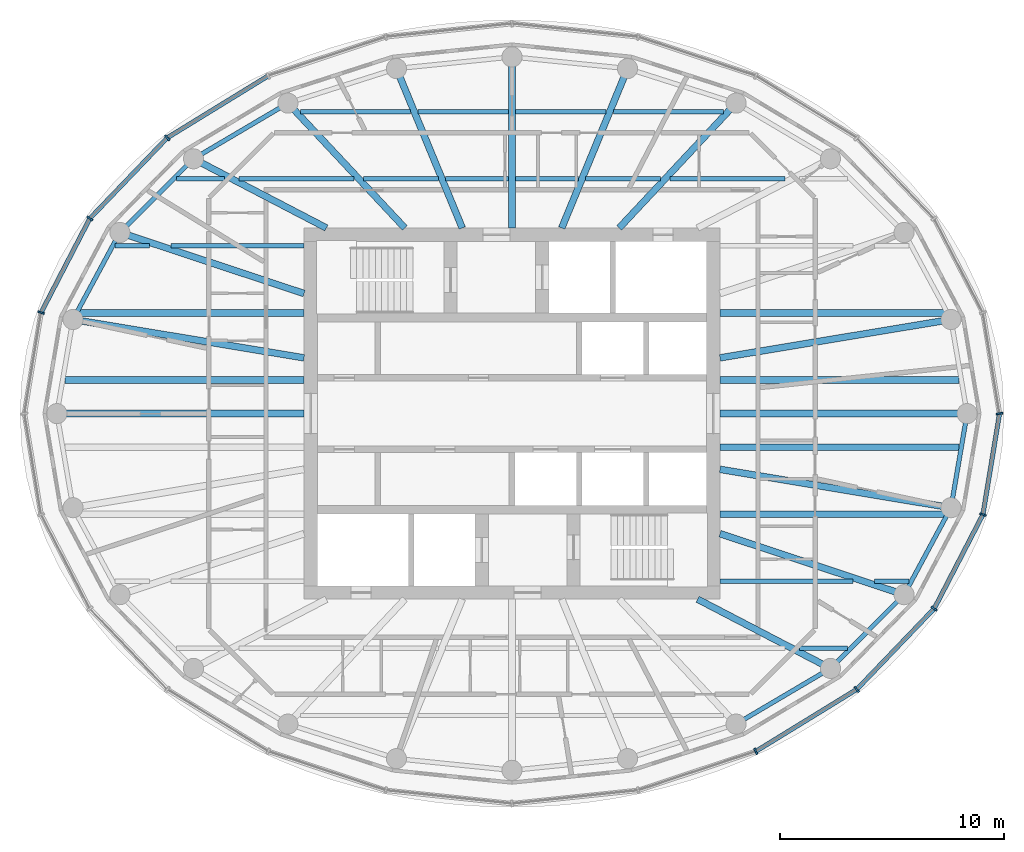
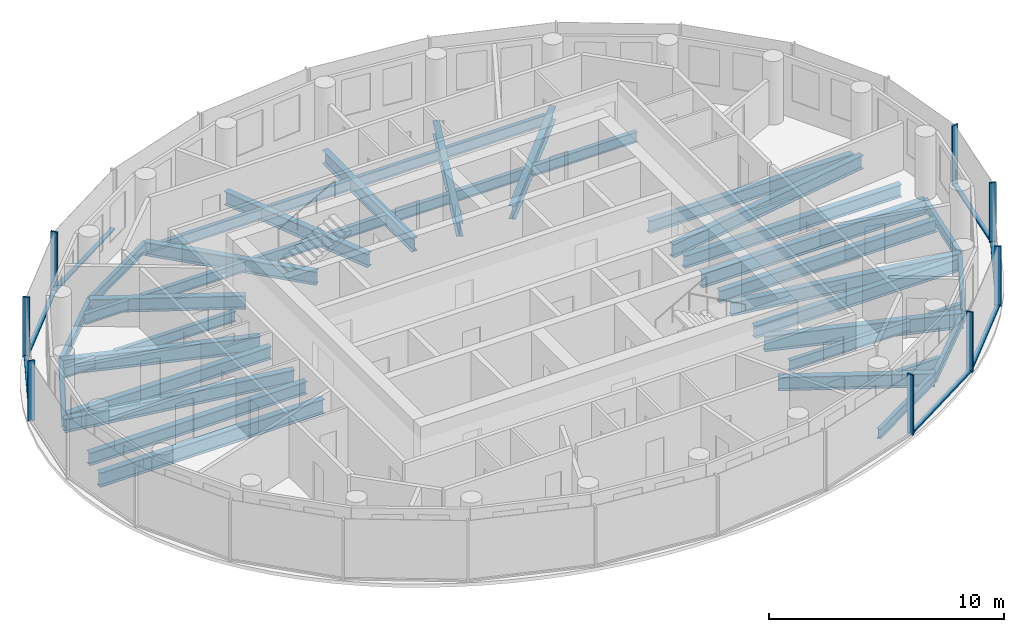
# One storey, part 2 of 11: 43 beams, 15 members, 3 elements without a shape of their own.
"""IFC4 building model written with IfcOpenShell, lengths in metres."""

from ifc_helpers import new_model, si_unit, direction, frame, origin, origin_2d, place, context, subcontext, project, spatial, rectangle, i_section, extrude, material, material_profile, profile_set, type_object, element, aggregate, save


model = new_model("IFC4")

# Units and contexts
model_context = context("Model", 3, precision=1e-05, world=origin(), true_north=direction((0.0, 1.0)))
body_context = subcontext(model_context, "Body", "Model", "MODEL_VIEW")
ifc_project = project(units=[si_unit("LENGTHUNIT", "METRE"), si_unit("AREAUNIT", "SQUARE_METRE"), si_unit("VOLUMEUNIT", "CUBIC_METRE"), si_unit("PLANEANGLEUNIT", "RADIAN"), si_unit("MASSUNIT", "GRAM", prefix="KILO")], contexts=[model_context])

# Site, building, storey
site_placement = place(None, origin())
site = spatial("IfcSite", under=ifc_project, at=site_placement, CompositionType="ELEMENT")
building_placement = place(site_placement, origin())
building = spatial("IfcBuilding", under=site, at=building_placement, Name="Hankou Lantern Tower", CompositionType="ELEMENT")
storey_placement = place(building_placement, frame((0.0, 0.0, 209.39990234375)))
storey = spatial("IfcBuildingStorey", under=building, at=storey_placement, Name="L56", CompositionType="ELEMENT", Elevation=209.39990234375)

# Beams
ifc_material_1 = material(Name="Steel Q355B", Category="steel")
ifc_material_profile_1 = material_profile(ifc_material_1, i_section(OverallWidth=0.199951171875, OverallDepth=0.5, WebThickness=0.010009765625, FlangeThickness=0.01611328125, FilletRadius=0.012939453125, at=origin_2d()), Name="HN500x200x10x16")
ifc_profile_set_1 = profile_set([ifc_material_profile_1], Name="Steel Q355B")
beam_type_1 = type_object("IfcBeamType", Name="EB5 RING BEAM HN500x200x10x16", PredefinedType="SPANDREL", material=ifc_profile_set_1)
beam_1_placement = place(storey_placement, frame((-10.01904296875, 13.8828125, -0.429931640625), z_axis=(-0.861422897323, -0.507888365655, 0.0), x_axis=(0.507888365655, -0.861422897323, 0.0)))
element("IfcBeam", 1, at=beam_1_placement, inside=storey, type_object=beam_type_1, Name="Ring beam R09-R10 L56", PredefinedType="SPANDREL", context=body_context, shape_type="SweptSolid", body=[
    extrude(i_section(OverallWidth=0.199951171875, OverallDepth=0.5, WebThickness=0.010009765625, FlangeThickness=0.01611328125, FilletRadius=0.012939453125, at=origin_2d()), origin(), (0.0, 0.0, 1.0), 4.901611328125),
])
beam_2_placement = place(storey_placement, frame((-14.241455078125, 11.393310546875, -0.429931640625), z_axis=(-0.706608588034, -0.707604623583, 0.0), x_axis=(0.707604623583, -0.706608588034, 0.0)))
element("IfcBeam", 2, at=beam_2_placement, inside=storey, type_object=beam_type_1, Name="Ring beam R10-R11 L56", PredefinedType="SPANDREL", context=body_context, shape_type="SweptSolid", body=[
    extrude(i_section(OverallWidth=0.199951171875, OverallDepth=0.5, WebThickness=0.010009765625, FlangeThickness=0.01611328125, FilletRadius=0.012939453125, at=origin_2d()), origin(), (0.0, 0.0, 1.0), 4.6572265625),
])
beam_3_placement = place(storey_placement, frame((-17.5322265625, 8.097900390625, -0.429931640625), z_axis=(-0.474491806611, -0.880259919262, 0.0), x_axis=(0.880259919262, -0.474491806611, 0.0)))
element("IfcBeam", 3, at=beam_3_placement, inside=storey, type_object=beam_type_1, Name="Ring beam R11-R12 L56", PredefinedType="SPANDREL", context=body_context, shape_type="SweptSolid", body=[
    extrude(i_section(OverallWidth=0.199951171875, OverallDepth=0.5, WebThickness=0.010009765625, FlangeThickness=0.01611328125, FilletRadius=0.012939453125, at=origin_2d()), origin(), (0.0, 0.0, 1.0), 4.419189453125),
])
beam_4_placement = place(storey_placement, frame((10.01904296875, -13.8828125, -0.429931640625), z_axis=(0.861422897323, 0.507888365655, 0.0), x_axis=(-0.507888365655, 0.861422897323, 0.0)))
element("IfcBeam", 4, at=beam_4_placement, inside=storey, type_object=beam_type_1, Name="Ring beam R21-R22 L56", PredefinedType="SPANDREL", context=body_context, shape_type="SweptSolid", body=[
    extrude(i_section(OverallWidth=0.199951171875, OverallDepth=0.5, WebThickness=0.010009765625, FlangeThickness=0.01611328125, FilletRadius=0.012939453125, at=origin_2d()), origin(), (0.0, 0.0, 1.0), 4.901611328125),
])
beam_5_placement = place(storey_placement, frame((14.241455078125, -11.393310546875, -0.429931640625), z_axis=(0.706608588034, 0.707604623583, 0.0), x_axis=(-0.707604623583, 0.706608588034, 0.0)))
element("IfcBeam", 5, at=beam_5_placement, inside=storey, type_object=beam_type_1, Name="Ring beam R22-R23 L56", PredefinedType="SPANDREL", context=body_context, shape_type="SweptSolid", body=[
    extrude(i_section(OverallWidth=0.199951171875, OverallDepth=0.5, WebThickness=0.010009765625, FlangeThickness=0.01611328125, FilletRadius=0.012939453125, at=origin_2d()), origin(), (0.0, 0.0, 1.0), 4.6572265625),
])
beam_6_placement = place(storey_placement, frame((17.5322265625, -8.097900390625, -0.429931640625), z_axis=(0.474491806611, 0.880259919262, 0.0), x_axis=(-0.880259919262, 0.474491806611, 0.0)))
element("IfcBeam", 6, at=beam_6_placement, inside=storey, type_object=beam_type_1, Name="Ring beam R23-R24 L56", PredefinedType="SPANDREL", context=body_context, shape_type="SweptSolid", body=[
    extrude(i_section(OverallWidth=0.199951171875, OverallDepth=0.5, WebThickness=0.010009765625, FlangeThickness=0.01611328125, FilletRadius=0.012939453125, at=origin_2d()), origin(), (0.0, 0.0, 1.0), 4.419189453125),
])
beam_7_placement = place(storey_placement, frame((19.629150390625, -4.207763671875, -0.429931640625), z_axis=(0.168876512999, 0.98563721691, 0.0), x_axis=(-0.98563721691, 0.168876512999, 0.0)))
element("IfcBeam", 7, at=beam_7_placement, inside=storey, type_object=beam_type_1, Name="Ring beam R24-R01 L56", PredefinedType="SPANDREL", context=body_context, shape_type="SweptSolid", body=[
    extrude(i_section(OverallWidth=0.199951171875, OverallDepth=0.5, WebThickness=0.010009765625, FlangeThickness=0.01611328125, FilletRadius=0.012939453125, at=origin_2d()), origin(), (0.0, 0.0, 1.0), 4.26904296875),
])

# Curtain wall, member
ifc_material_2 = material(Name="Glass, dark grey tinted laminated", Category="glass")
curtain_wall_type = type_object("IfcCurtainWallType", Name="CWD OUTER SKIN SUITE", PredefinedType="USERDEFINED", material=ifc_material_2)
curtain_wall_1_placement = place(storey_placement, origin())
curtain_wall_1 = element("IfcCurtainWall", 8, at=curtain_wall_1_placement, inside=storey, type_object=curtain_wall_type, Name="CWD L56 OS1", ObjectType="OUTER SKIN SUITE", PredefinedType="USERDEFINED")
ifc_material_3 = material(Name="Aluminium, black anodised", Category="aluminium")
ifc_material_profile_2 = material_profile(ifc_material_3, rectangle(XDim=0.080078125, YDim=0.300048828125, at=origin_2d()), Name="MU1 80X300")
ifc_profile_set_2 = profile_set([ifc_material_profile_2], Name="Aluminium, black anodised")
member_type_1 = type_object("IfcMemberType", Name="MU1 OUTER SKIN MULLION 80X300", PredefinedType="MULLION", material=ifc_profile_set_2)
member_1_placement = place(storey_placement, frame((21.800048828125, 0.0, 0.0), z_axis=(0.0, 0.0, 1.0), x_axis=(-0.162381515188, 0.986728049427, 0.0)))
member_1 = element("IfcMember", 9, at=member_1_placement, type_object=member_type_1, Name="CWD mullion 1", PredefinedType="MULLION", context=body_context, shape_type="SweptSolid", body=[
    extrude(rectangle(XDim=0.080078125, YDim=0.300048828125, at=origin_2d()), origin(), (0.0, 0.0, 1.0), 3.1201171875),
])
aggregate(curtain_wall_1, [member_1])

# Curtain wall, members
curtain_wall_2_placement = place(storey_placement, origin())
curtain_wall_2 = element("IfcCurtainWall", 10, at=curtain_wall_2_placement, inside=storey, type_object=curtain_wall_type, Name="CWD L56 OS2", ObjectType="OUTER SKIN SUITE", PredefinedType="USERDEFINED")
member_2_placement = place(storey_placement, frame((-15.4150390625, 12.33203125, 0.0), z_axis=(0.0, 0.0, 1.0), x_axis=(-0.780868809444, -0.624695047553, 0.0)))
member_2 = element("IfcMember", 11, at=member_2_placement, type_object=member_type_1, Name="CWD mullion 4", PredefinedType="MULLION", context=body_context, shape_type="SweptSolid", body=[
    extrude(rectangle(XDim=0.080078125, YDim=0.300048828125, at=origin_2d()), origin(), (0.0, 0.0, 1.0), 3.1201171875),
])
member_3_placement = place(storey_placement, frame((-18.87939453125, 8.719970703125, 0.0), z_axis=(0.0, 0.0, 1.0), x_axis=(-0.585205735974, -0.810884854084, 0.0)))
member_3 = element("IfcMember", 12, at=member_3_placement, type_object=member_type_1, Name="CWD mullion 5", PredefinedType="MULLION", context=body_context, shape_type="SweptSolid", body=[
    extrude(rectangle(XDim=0.080078125, YDim=0.300048828125, at=origin_2d()), origin(), (0.0, 0.0, 1.0), 3.1201171875),
])
member_4_placement = place(storey_placement, frame((-21.05712890625, 4.513916015625, 0.0), z_axis=(0.0, 0.0, 1.0), x_axis=(-0.317595577365, -0.94822626479, 0.0)))
member_4 = element("IfcMember", 13, at=member_4_placement, type_object=member_type_1, Name="CWD mullion 6", PredefinedType="MULLION", context=body_context, shape_type="SweptSolid", body=[
    extrude(rectangle(XDim=0.080078125, YDim=0.300048828125, at=origin_2d()), origin(), (0.0, 0.0, 1.0), 3.1201171875),
])

curtain_wall_3_placement = place(storey_placement, origin())
curtain_wall_3 = element("IfcCurtainWall", 14, at=curtain_wall_3_placement, inside=storey, type_object=curtain_wall_type, Name="CWD L56 OS4", ObjectType="OUTER SKIN SUITE", PredefinedType="USERDEFINED")
member_5_placement = place(storey_placement, frame((10.89990234375, -15.103515625, 0.0), z_axis=(0.0, 0.0, 1.0), x_axis=(0.907841299004, 0.419313934686, 0.0)))
member_5 = element("IfcMember", 15, at=member_5_placement, type_object=member_type_1, Name="CWD mullion 3", PredefinedType="MULLION", context=body_context, shape_type="SweptSolid", body=[
    extrude(rectangle(XDim=0.080078125, YDim=0.300048828125, at=origin_2d()), origin(), (0.0, 0.0, 1.0), 3.1201171875),
])
member_6_placement = place(storey_placement, frame((15.4150390625, -12.33203125, 0.0), z_axis=(0.0, 0.0, 1.0), x_axis=(0.780868809444, 0.624695047553, 0.0)))
member_6 = element("IfcMember", 16, at=member_6_placement, type_object=member_type_1, Name="CWD mullion 4", PredefinedType="MULLION", context=body_context, shape_type="SweptSolid", body=[
    extrude(rectangle(XDim=0.080078125, YDim=0.300048828125, at=origin_2d()), origin(), (0.0, 0.0, 1.0), 3.1201171875),
])
member_7_placement = place(storey_placement, frame((18.87939453125, -8.719970703125, 0.0), z_axis=(0.0, 0.0, 1.0), x_axis=(0.585205735974, 0.810884854084, 0.0)))
member_7 = element("IfcMember", 17, at=member_7_placement, type_object=member_type_1, Name="CWD mullion 5", PredefinedType="MULLION", context=body_context, shape_type="SweptSolid", body=[
    extrude(rectangle(XDim=0.080078125, YDim=0.300048828125, at=origin_2d()), origin(), (0.0, 0.0, 1.0), 3.1201171875),
])
member_8_placement = place(storey_placement, frame((21.05712890625, -4.513916015625, 0.0), z_axis=(0.0, 0.0, 1.0), x_axis=(0.317595577365, 0.94822626479, 0.0)))
member_8 = element("IfcMember", 18, at=member_8_placement, type_object=member_type_1, Name="CWD mullion 6", PredefinedType="MULLION", context=body_context, shape_type="SweptSolid", body=[
    extrude(rectangle(XDim=0.080078125, YDim=0.300048828125, at=origin_2d()), origin(), (0.0, 0.0, 1.0), 3.1201171875),
])

# Beams
ifc_material_4 = material(Name="Steel Q355B", Category="steel")
ifc_material_profile_3 = material_profile(ifc_material_4, i_section(OverallWidth=0.300048828125, OverallDepth=0.75, WebThickness=0.012939453125, FlangeThickness=0.02392578125, FilletRadius=0.01806640625, at=origin_2d()), Name="HN750x300x13x24")
ifc_profile_set_3 = profile_set([ifc_material_profile_3], Name="Steel Q355B")
beam_type_2 = type_object("IfcBeamType", Name="RB10 RADIAL BEAM HN750x300x13x24", PredefinedType="BEAM", material=ifc_profile_set_3)
for number, where, z_axis, x_axis, name in (
    (19, (9.300048828125, 0.0, -0.554931640625), (1.0, 0.0, 0.0), (0.0, 1.0, 0.0), "Radial beam R01 L56"),
    (20, (-9.300048828125, 0.0, -0.554931640625), (-1.0, 0.0, 0.0), (0.0, -1.0, 0.0), "Radial beam R13 L56"),
):
    element("IfcBeam", number, at=place(storey_placement, frame(where, z_axis=z_axis, x_axis=x_axis)), inside=storey, type_object=beam_type_2, Name=name, PredefinedType="BEAM", context=body_context, shape_type="SweptSolid", body=[
        extrude(i_section(OverallWidth=0.300048828125, OverallDepth=0.75, WebThickness=0.012939453125, FlangeThickness=0.02392578125, FilletRadius=0.01806640625, at=origin_2d()), origin(), (0.0, 0.0, 1.0), 11.050048828125),
    ])
ifc_material_5 = material(Name="Steel Q355B", Category="steel")
ifc_material_profile_4 = material_profile(ifc_material_5, i_section(OverallWidth=0.300048828125, OverallDepth=0.800048828125, WebThickness=0.013916015625, FlangeThickness=0.02587890625, FilletRadius=0.01806640625, at=origin_2d()), Name="HN800x300x14x26")
ifc_profile_set_4 = profile_set([ifc_material_profile_4], Name="Steel Q355B")
beam_type_3 = type_object("IfcBeamType", Name="RB11 RADIAL BEAM HN800x300x14x26", PredefinedType="BEAM", material=ifc_profile_set_4)
for number, where, z_axis, x_axis, name in (
    (21, (-9.300048828125, 5.369384765625, -0.579833984375), (-0.949219608576, 0.314614263337, 0.0), (-0.314614263337, -0.949219608576, 0.0), "Radial beam R11 L56"),
    (22, (9.300048828125, -5.369384765625, -0.579833984375), (0.949219608576, -0.314614263337, 0.0), (0.314614263337, 0.949219608576, 0.0), "Radial beam R23 L56"),
):
    element("IfcBeam", number, at=place(storey_placement, frame(where, z_axis=z_axis, x_axis=x_axis)), inside=storey, type_object=beam_type_3, Name=name, PredefinedType="BEAM", context=body_context, shape_type="SweptSolid", body=[
        extrude(i_section(OverallWidth=0.300048828125, OverallDepth=0.800048828125, WebThickness=0.013916015625, FlangeThickness=0.02587890625, FilletRadius=0.01806640625, at=origin_2d()), origin(), (0.0, 0.0, 1.0), 8.672607421875),
    ])
ifc_material_6 = material(Name="Steel Q355B", Category="steel")
ifc_material_profile_5 = material_profile(ifc_material_6, i_section(OverallWidth=0.300048828125, OverallDepth=0.699951171875, WebThickness=0.012939453125, FlangeThickness=0.02392578125, FilletRadius=0.01806640625, at=origin_2d()), Name="HN700x300x13x24")
ifc_profile_set_5 = profile_set([ifc_material_profile_5], Name="Steel Q355B")
beam_type_4 = type_object("IfcBeamType", Name="RB9 RADIAL BEAM HN700x300x13x24", PredefinedType="BEAM", material=ifc_profile_set_5)
beam_8_placement = place(storey_placement, frame((9.300048828125, 2.491943359375, -0.52978515625), z_axis=(0.986482007061, 0.163869612027, 0.0), x_axis=(-0.163869612027, 0.986482007061, 0.0)))
element("IfcBeam", 23, at=beam_8_placement, inside=storey, type_object=beam_type_4, Name="Radial beam R02 L56", PredefinedType="BEAM", context=body_context, shape_type="SweptSolid", body=[
    extrude(i_section(OverallWidth=0.300048828125, OverallDepth=0.699951171875, WebThickness=0.012939453125, FlangeThickness=0.02392578125, FilletRadius=0.01806640625, at=origin_2d()), origin(), (0.0, 0.0, 1.0), 10.470703125),
])
beam_9_placement = place(storey_placement, frame((4.7919921875, 8.300048828125, -0.52978515625), z_axis=(0.68346844743, 0.729980055459, 0.0), x_axis=(-0.729980055459, 0.68346844743, 0.0)))
element("IfcBeam", 24, at=beam_9_placement, inside=storey, type_object=beam_type_4, Name="Radial beam R05 L56", PredefinedType="BEAM", context=body_context, shape_type="SweptSolid", body=[
    extrude(i_section(OverallWidth=0.300048828125, OverallDepth=0.699951171875, WebThickness=0.012939453125, FlangeThickness=0.02392578125, FilletRadius=0.01806640625, at=origin_2d()), origin(), (0.0, 0.0, 1.0), 7.64794921875),
])
beam_10_placement = place(storey_placement, frame((2.223876953125, 8.300048828125, -0.52978515625), z_axis=(0.381706648123, 0.924283525104, 0.0), x_axis=(-0.924283525104, 0.381706648123, 0.0)))
element("IfcBeam", 25, at=beam_10_placement, inside=storey, type_object=beam_type_4, Name="Radial beam R06 L56", PredefinedType="BEAM", context=body_context, shape_type="SweptSolid", body=[
    extrude(i_section(OverallWidth=0.300048828125, OverallDepth=0.699951171875, WebThickness=0.012939453125, FlangeThickness=0.02392578125, FilletRadius=0.01806640625, at=origin_2d()), origin(), (0.0, 0.0, 1.0), 7.7109375),
])
beam_11_placement = place(storey_placement, frame((0.0, 8.300048828125, -0.52978515625), z_axis=(0.0, 1.0, 0.0), x_axis=(-1.0, 0.0, 0.0)))
element("IfcBeam", 26, at=beam_11_placement, inside=storey, type_object=beam_type_4, Name="Radial beam R07 L56", PredefinedType="BEAM", context=body_context, shape_type="SweptSolid", body=[
    extrude(i_section(OverallWidth=0.300048828125, OverallDepth=0.699951171875, WebThickness=0.012939453125, FlangeThickness=0.02392578125, FilletRadius=0.01806640625, at=origin_2d()), origin(), (0.0, 0.0, 1.0), 7.64990234375),
])
beam_12_placement = place(storey_placement, frame((-2.223876953125, 8.300048828125, -0.52978515625), z_axis=(-0.381706648123, 0.924283525104, 0.0), x_axis=(-0.924283525104, -0.381706648123, 0.0)))
element("IfcBeam", 27, at=beam_12_placement, inside=storey, type_object=beam_type_4, Name="Radial beam R08 L56", PredefinedType="BEAM", context=body_context, shape_type="SweptSolid", body=[
    extrude(i_section(OverallWidth=0.300048828125, OverallDepth=0.699951171875, WebThickness=0.012939453125, FlangeThickness=0.02392578125, FilletRadius=0.01806640625, at=origin_2d()), origin(), (0.0, 0.0, 1.0), 7.7109375),
])
beam_13_placement = place(storey_placement, frame((-4.7919921875, 8.300048828125, -0.52978515625), z_axis=(-0.68346844743, 0.729980055459, 0.0), x_axis=(-0.729980055459, -0.68346844743, 0.0)))
element("IfcBeam", 28, at=beam_13_placement, inside=storey, type_object=beam_type_4, Name="Radial beam R09 L56", PredefinedType="BEAM", context=body_context, shape_type="SweptSolid", body=[
    extrude(i_section(OverallWidth=0.300048828125, OverallDepth=0.699951171875, WebThickness=0.012939453125, FlangeThickness=0.02392578125, FilletRadius=0.01806640625, at=origin_2d()), origin(), (0.0, 0.0, 1.0), 7.64794921875),
])
beam_14_placement = place(storey_placement, frame((-8.300048828125, 8.300048828125, -0.52978515625), z_axis=(-0.886988734783, 0.461791061378, 0.0), x_axis=(-0.461791061378, -0.886988734783, 0.0)))
element("IfcBeam", 29, at=beam_14_placement, inside=storey, type_object=beam_type_4, Name="Radial beam R10 L56", PredefinedType="BEAM", context=body_context, shape_type="SweptSolid", body=[
    extrude(i_section(OverallWidth=0.300048828125, OverallDepth=0.699951171875, WebThickness=0.012939453125, FlangeThickness=0.02392578125, FilletRadius=0.01806640625, at=origin_2d()), origin(), (0.0, 0.0, 1.0), 6.698486328125),
])
beam_15_placement = place(storey_placement, frame((-9.300048828125, 2.491943359375, -0.52978515625), z_axis=(-0.986482007061, 0.163869612027, 0.0), x_axis=(-0.163869612027, -0.986482007061, 0.0)))
element("IfcBeam", 30, at=beam_15_placement, inside=storey, type_object=beam_type_4, Name="Radial beam R12 L56", PredefinedType="BEAM", context=body_context, shape_type="SweptSolid", body=[
    extrude(i_section(OverallWidth=0.300048828125, OverallDepth=0.699951171875, WebThickness=0.012939453125, FlangeThickness=0.02392578125, FilletRadius=0.01806640625, at=origin_2d()), origin(), (0.0, 0.0, 1.0), 10.470703125),
])
beam_16_placement = place(storey_placement, frame((8.300048828125, -8.300048828125, -0.52978515625), z_axis=(0.886988734783, -0.461791061378, 0.0), x_axis=(0.461791061378, 0.886988734783, 0.0)))
element("IfcBeam", 31, at=beam_16_placement, inside=storey, type_object=beam_type_4, Name="Radial beam R22 L56", PredefinedType="BEAM", context=body_context, shape_type="SweptSolid", body=[
    extrude(i_section(OverallWidth=0.300048828125, OverallDepth=0.699951171875, WebThickness=0.012939453125, FlangeThickness=0.02392578125, FilletRadius=0.01806640625, at=origin_2d()), origin(), (0.0, 0.0, 1.0), 6.698486328125),
])
beam_17_placement = place(storey_placement, frame((9.300048828125, -2.491943359375, -0.52978515625), z_axis=(0.986482007061, -0.163869612027, 0.0), x_axis=(0.163869612027, 0.986482007061, 0.0)))
element("IfcBeam", 32, at=beam_17_placement, inside=storey, type_object=beam_type_4, Name="Radial beam R24 L56", PredefinedType="BEAM", context=body_context, shape_type="SweptSolid", body=[
    extrude(i_section(OverallWidth=0.300048828125, OverallDepth=0.699951171875, WebThickness=0.012939453125, FlangeThickness=0.02392578125, FilletRadius=0.01806640625, at=origin_2d()), origin(), (0.0, 0.0, 1.0), 10.470703125),
])
ifc_material_7 = material(Name="Steel Q355B", Category="steel")
ifc_material_profile_6 = material_profile(ifc_material_7, i_section(OverallWidth=0.199951171875, OverallDepth=0.550048828125, WebThickness=0.010009765625, FlangeThickness=0.01611328125, FilletRadius=0.012939453125, at=origin_2d()), Name="HN550x200x10x16")
ifc_profile_set_6 = profile_set([ifc_material_profile_6], Name="Steel Q355B")
beam_type_5 = type_object("IfcBeamType", Name="SB6 SECONDARY BEAM HN550x200x10x16", PredefinedType="JOIST", material=ifc_profile_set_6)
beam_18_placement = place(storey_placement, frame((12.8505859375, -10.5, -0.454833984375), z_axis=(1.0, 0.0, 0.0), x_axis=(0.0, 1.0, 0.0)))
element("IfcBeam", 33, at=beam_18_placement, inside=storey, type_object=beam_type_5, Name="Floor joist J012 L56", PredefinedType="JOIST", context=body_context, shape_type="SweptSolid", body=[
    extrude(i_section(OverallWidth=0.199951171875, OverallDepth=0.550048828125, WebThickness=0.010009765625, FlangeThickness=0.01611328125, FilletRadius=0.012939453125, at=origin_2d()), origin(), (0.0, 0.0, 1.0), 2.1416015625),
])
beam_19_placement = place(storey_placement, frame((9.300048828125, -7.5, -0.454833984375), z_axis=(1.0, 0.0, 0.0), x_axis=(0.0, 1.0, 0.0)))
element("IfcBeam", 34, at=beam_19_placement, inside=storey, type_object=beam_type_5, Name="Floor joist J015 L56", PredefinedType="JOIST", context=body_context, shape_type="SweptSolid", body=[
    extrude(i_section(OverallWidth=0.199951171875, OverallDepth=0.550048828125, WebThickness=0.010009765625, FlangeThickness=0.01611328125, FilletRadius=0.012939453125, at=origin_2d()), origin(), (0.0, 0.0, 1.0), 5.95166015625),
])
for number, where, z_axis, x_axis, name in (
    (35, (16.205322265625, -7.5, -0.454833984375), (1.0, 0.0, 0.0), (0.0, 1.0, 0.0), "Floor joist J016 L56"),
    (36, (-17.740966796875, 7.5, -0.454833984375), (1.0, 0.0, 0.0), (0.0, 1.0, 0.0), "Floor joist J025 L56"),
):
    element("IfcBeam", number, at=place(storey_placement, frame(where, z_axis=z_axis, x_axis=x_axis)), inside=storey, type_object=beam_type_5, Name=name, PredefinedType="JOIST", context=body_context, shape_type="SweptSolid", body=[
        extrude(i_section(OverallWidth=0.199951171875, OverallDepth=0.550048828125, WebThickness=0.010009765625, FlangeThickness=0.01611328125, FilletRadius=0.012939453125, at=origin_2d()), origin(), (0.0, 0.0, 1.0), 1.53564453125),
    ])
beam_20_placement = place(storey_placement, frame((-15.251708984375, 7.5, -0.454833984375), z_axis=(1.0, 0.0, 0.0), x_axis=(0.0, 1.0, 0.0)))
element("IfcBeam", 37, at=beam_20_placement, inside=storey, type_object=beam_type_5, Name="Floor joist J026 L56", PredefinedType="JOIST", context=body_context, shape_type="SweptSolid", body=[
    extrude(i_section(OverallWidth=0.199951171875, OverallDepth=0.550048828125, WebThickness=0.010009765625, FlangeThickness=0.01611328125, FilletRadius=0.012939453125, at=origin_2d()), origin(), (0.0, 0.0, 1.0), 5.95166015625),
])
beam_21_placement = place(storey_placement, frame((-14.9921875, 10.5, -0.454833984375), z_axis=(1.0, 0.0, 0.0), x_axis=(0.0, 1.0, 0.0)))
element("IfcBeam", 38, at=beam_21_placement, inside=storey, type_object=beam_type_5, Name="Floor joist J029 L56", PredefinedType="JOIST", context=body_context, shape_type="SweptSolid", body=[
    extrude(i_section(OverallWidth=0.199951171875, OverallDepth=0.550048828125, WebThickness=0.010009765625, FlangeThickness=0.01611328125, FilletRadius=0.012939453125, at=origin_2d()), origin(), (0.0, 0.0, 1.0), 2.1416015625),
])
beam_22_placement = place(storey_placement, frame((-12.200927734375, 10.5, -0.454833984375), z_axis=(1.0, 0.0, 0.0), x_axis=(0.0, 1.0, 0.0)))
element("IfcBeam", 39, at=beam_22_placement, inside=storey, type_object=beam_type_5, Name="Floor joist J030 L56", PredefinedType="JOIST", context=body_context, shape_type="SweptSolid", body=[
    extrude(i_section(OverallWidth=0.199951171875, OverallDepth=0.550048828125, WebThickness=0.010009765625, FlangeThickness=0.01611328125, FilletRadius=0.012939453125, at=origin_2d()), origin(), (0.0, 0.0, 1.0), 5.1435546875),
])
beam_23_placement = place(storey_placement, frame((-6.646240234375, 10.5, -0.454833984375), z_axis=(1.0, 0.0, 0.0), x_axis=(0.0, 1.0, 0.0)))
element("IfcBeam", 40, at=beam_23_placement, inside=storey, type_object=beam_type_5, Name="Floor joist J031 L56", PredefinedType="JOIST", context=body_context, shape_type="SweptSolid", body=[
    extrude(i_section(OverallWidth=0.199951171875, OverallDepth=0.550048828125, WebThickness=0.010009765625, FlangeThickness=0.01611328125, FilletRadius=0.012939453125, at=origin_2d()), origin(), (0.0, 0.0, 1.0), 3.3515625),
])
for number, where, z_axis, x_axis, name in (
    (41, (-2.97021484375, 10.5, -0.454833984375), (1.0, 0.0, 0.0), (0.0, 1.0, 0.0), "Floor joist J032 L56"),
    (42, (0.14990234375, 10.5, -0.454833984375), (1.0, 0.0, 0.0), (0.0, 1.0, 0.0), "Floor joist J033 L56"),
):
    element("IfcBeam", number, at=place(storey_placement, frame(where, z_axis=z_axis, x_axis=x_axis)), inside=storey, type_object=beam_type_5, Name=name, PredefinedType="JOIST", context=body_context, shape_type="SweptSolid", body=[
        extrude(i_section(OverallWidth=0.199951171875, OverallDepth=0.550048828125, WebThickness=0.010009765625, FlangeThickness=0.01611328125, FilletRadius=0.012939453125, at=origin_2d()), origin(), (0.0, 0.0, 1.0), 2.8203125),
    ])
beam_24_placement = place(storey_placement, frame((3.294677734375, 10.5, -0.454833984375), z_axis=(1.0, 0.0, 0.0), x_axis=(0.0, 1.0, 0.0)))
element("IfcBeam", 43, at=beam_24_placement, inside=storey, type_object=beam_type_5, Name="Floor joist J034 L56", PredefinedType="JOIST", context=body_context, shape_type="SweptSolid", body=[
    extrude(i_section(OverallWidth=0.199951171875, OverallDepth=0.550048828125, WebThickness=0.010009765625, FlangeThickness=0.01611328125, FilletRadius=0.012939453125, at=origin_2d()), origin(), (0.0, 0.0, 1.0), 3.3515625),
])
beam_25_placement = place(storey_placement, frame((7.057373046875, 10.5, -0.454833984375), z_axis=(1.0, 0.0, 0.0), x_axis=(0.0, 1.0, 0.0)))
element("IfcBeam", 44, at=beam_25_placement, inside=storey, type_object=beam_type_5, Name="Floor joist J035 L56", PredefinedType="JOIST", context=body_context, shape_type="SweptSolid", body=[
    extrude(i_section(OverallWidth=0.199951171875, OverallDepth=0.550048828125, WebThickness=0.010009765625, FlangeThickness=0.01611328125, FilletRadius=0.012939453125, at=origin_2d()), origin(), (0.0, 0.0, 1.0), 5.1435546875),
])
beam_26_placement = place(storey_placement, frame((-9.455078125, 13.5, -0.454833984375), z_axis=(1.0, 0.0, 0.0), x_axis=(0.0, 1.0, 0.0)))
element("IfcBeam", 45, at=beam_26_placement, inside=storey, type_object=beam_type_5, Name="Floor joist J037 L56", PredefinedType="JOIST", context=body_context, shape_type="SweptSolid", body=[
    extrude(i_section(OverallWidth=0.199951171875, OverallDepth=0.550048828125, WebThickness=0.010009765625, FlangeThickness=0.01611328125, FilletRadius=0.012939453125, at=origin_2d()), origin(), (0.0, 0.0, 1.0), 4.92138671875),
])
for number, where, z_axis, x_axis, name in (
    (46, (-4.208984375, 13.5, -0.454833984375), (1.0, 0.0, 0.0), (0.0, 1.0, 0.0), "Floor joist J038 L56"),
    (47, (0.14990234375, 13.5, -0.454833984375), (1.0, 0.0, 0.0), (0.0, 1.0, 0.0), "Floor joist J039 L56"),
):
    element("IfcBeam", number, at=place(storey_placement, frame(where, z_axis=z_axis, x_axis=x_axis)), inside=storey, type_object=beam_type_5, Name=name, PredefinedType="JOIST", context=body_context, shape_type="SweptSolid", body=[
        extrude(i_section(OverallWidth=0.199951171875, OverallDepth=0.550048828125, WebThickness=0.010009765625, FlangeThickness=0.01611328125, FilletRadius=0.012939453125, at=origin_2d()), origin(), (0.0, 0.0, 1.0), 4.05908203125),
    ])
beam_27_placement = place(storey_placement, frame((4.53369140625, 13.5, -0.454833984375), z_axis=(1.0, 0.0, 0.0), x_axis=(0.0, 1.0, 0.0)))
element("IfcBeam", 48, at=beam_27_placement, inside=storey, type_object=beam_type_5, Name="Floor joist J040 L56", PredefinedType="JOIST", context=body_context, shape_type="SweptSolid", body=[
    extrude(i_section(OverallWidth=0.199951171875, OverallDepth=0.550048828125, WebThickness=0.010009765625, FlangeThickness=0.01611328125, FilletRadius=0.012939453125, at=origin_2d()), origin(), (0.0, 0.0, 1.0), 4.92138671875),
])
ifc_material_8 = material(Name="Steel Q355B", Category="steel")
ifc_material_profile_7 = material_profile(ifc_material_8, i_section(OverallWidth=0.300048828125, OverallDepth=0.64990234375, WebThickness=0.010986328125, FlangeThickness=0.01708984375, FilletRadius=0.01806640625, at=origin_2d()), Name="HN650x300x11x17")
ifc_profile_set_7 = profile_set([ifc_material_profile_7], Name="Steel Q355B")
beam_type_6 = type_object("IfcBeamType", Name="SB8 SECONDARY BEAM HN650x300x11x17", PredefinedType="JOIST", material=ifc_profile_set_7)
beam_28_placement = place(storey_placement, frame((9.300048828125, -4.5, -0.5048828125), z_axis=(1.0, 0.0, 0.0), x_axis=(0.0, 1.0, 0.0)))
element("IfcBeam", 49, at=beam_28_placement, inside=storey, type_object=beam_type_6, Name="Floor joist J018 L56", PredefinedType="JOIST", context=body_context, shape_type="SweptSolid", body=[
    extrude(i_section(OverallWidth=0.300048828125, OverallDepth=0.64990234375, WebThickness=0.010986328125, FlangeThickness=0.01708984375, FilletRadius=0.01806640625, at=origin_2d()), origin(), (0.0, 0.0, 1.0), 10.057861328125),
])
for number, where, z_axis, x_axis, name in (
    (50, (9.300048828125, -1.5, -0.5048828125), (1.0, 0.0, 0.0), (0.0, 1.0, 0.0), "Floor joist J020 L56"),
    (51, (-19.991455078125, 1.5, -0.5048828125), (1.0, 0.0, 0.0), (0.0, 1.0, 0.0), "Floor joist J021 L56"),
    (52, (9.300048828125, 1.5, -0.5048828125), (1.0, 0.0, 0.0), (0.0, 1.0, 0.0), "Floor joist J022 L56"),
):
    element("IfcBeam", number, at=place(storey_placement, frame(where, z_axis=z_axis, x_axis=x_axis)), inside=storey, type_object=beam_type_6, Name=name, PredefinedType="JOIST", context=body_context, shape_type="SweptSolid", body=[
        extrude(i_section(OverallWidth=0.300048828125, OverallDepth=0.64990234375, WebThickness=0.010986328125, FlangeThickness=0.01708984375, FilletRadius=0.01806640625, at=origin_2d()), origin(), (0.0, 0.0, 1.0), 10.69140625),
    ])
for number, where, z_axis, x_axis, name in (
    (53, (-19.35791015625, 4.5, -0.5048828125), (1.0, 0.0, 0.0), (0.0, 1.0, 0.0), "Floor joist J023 L56"),
    (54, (9.300048828125, 4.5, -0.5048828125), (1.0, 0.0, 0.0), (0.0, 1.0, 0.0), "Floor joist J024 L56"),
):
    element("IfcBeam", number, at=place(storey_placement, frame(where, z_axis=z_axis, x_axis=x_axis)), inside=storey, type_object=beam_type_6, Name=name, PredefinedType="JOIST", context=body_context, shape_type="SweptSolid", body=[
        extrude(i_section(OverallWidth=0.300048828125, OverallDepth=0.64990234375, WebThickness=0.010986328125, FlangeThickness=0.01708984375, FilletRadius=0.01806640625, at=origin_2d()), origin(), (0.0, 0.0, 1.0), 10.057861328125),
    ])

# Member
ifc_material_9 = material(Name="Aluminium, black anodised", Category="aluminium")
ifc_material_profile_8 = material_profile(ifc_material_9, rectangle(XDim=0.199951171875, YDim=0.080078125, at=origin_2d()), Name="TR1 200X80")
ifc_profile_set_8 = profile_set([ifc_material_profile_8], Name="Aluminium, black anodised")
member_type_2 = type_object("IfcMemberType", Name="TR1 OUTER SKIN TRANSOM 200X80", PredefinedType="USERDEFINED", material=ifc_profile_set_8)
member_9_placement = place(storey_placement, frame((-10.93408203125, 15.08251953125, 0.0400390625), z_axis=(-0.852234544008, -0.523159900986, 0.0), x_axis=(0.523159900986, -0.852234544008, 0.0)))
member_9 = element("IfcMember", 55, at=member_9_placement, type_object=member_type_2, Name="CWD transom 3", ObjectType="TRANSOM", PredefinedType="USERDEFINED", context=body_context, shape_type="SweptSolid", body=[
    extrude(rectangle(XDim=0.199951171875, YDim=0.080078125, at=origin_2d()), origin(), (0.0, 0.0, 1.0), 5.2177734375),
])

member_10_placement = place(storey_placement, frame((-15.442626953125, 12.302978515625, 0.0400390625), z_axis=(-0.692204633274, -0.721701285626, 0.0), x_axis=(0.721701285626, -0.692204633274, 0.0)))
member_10 = element("IfcMember", 56, at=member_10_placement, type_object=member_type_2, Name="CWD transom 4", ObjectType="TRANSOM", PredefinedType="USERDEFINED", context=body_context, shape_type="SweptSolid", body=[
    extrude(rectangle(XDim=0.199951171875, YDim=0.080078125, at=origin_2d()), origin(), (0.0, 0.0, 1.0), 4.9248046875),
])

member_11_placement = place(storey_placement, frame((-18.897705078125, 8.6845703125, 0.0400390625), z_axis=(-0.45979371115, -0.888025755925, 0.0), x_axis=(0.888025755925, -0.45979371115, 0.0)))
member_11 = element("IfcMember", 57, at=member_11_placement, type_object=member_type_2, Name="CWD transom 5", ObjectType="TRANSOM", PredefinedType="USERDEFINED", context=body_context, shape_type="SweptSolid", body=[
    extrude(rectangle(XDim=0.199951171875, YDim=0.080078125, at=origin_2d()), origin(), (0.0, 0.0, 1.0), 4.65673828125),
])

aggregate(curtain_wall_2, [member_2, member_3, member_4, member_9, member_10, member_11])

member_12_placement = place(storey_placement, frame((10.93408203125, -15.08251953125, 0.0400390625), z_axis=(0.852234544008, 0.523159900986, 0.0), x_axis=(-0.523159900986, 0.852234544008, 0.0)))
member_12 = element("IfcMember", 58, at=member_12_placement, type_object=member_type_2, Name="CWD transom 3", ObjectType="TRANSOM", PredefinedType="USERDEFINED", context=body_context, shape_type="SweptSolid", body=[
    extrude(rectangle(XDim=0.199951171875, YDim=0.080078125, at=origin_2d()), origin(), (0.0, 0.0, 1.0), 5.2177734375),
])

member_13_placement = place(storey_placement, frame((15.442626953125, -12.302978515625, 0.0400390625), z_axis=(0.692204633274, 0.721701285626, 0.0), x_axis=(-0.721701285626, 0.692204633274, 0.0)))
member_13 = element("IfcMember", 59, at=member_13_placement, type_object=member_type_2, Name="CWD transom 4", ObjectType="TRANSOM", PredefinedType="USERDEFINED", context=body_context, shape_type="SweptSolid", body=[
    extrude(rectangle(XDim=0.199951171875, YDim=0.080078125, at=origin_2d()), origin(), (0.0, 0.0, 1.0), 4.9248046875),
])

member_14_placement = place(storey_placement, frame((18.897705078125, -8.6845703125, 0.0400390625), z_axis=(0.45979371115, 0.888025755925, 0.0), x_axis=(-0.888025755925, 0.45979371115, 0.0)))
member_14 = element("IfcMember", 60, at=member_14_placement, type_object=member_type_2, Name="CWD transom 5", ObjectType="TRANSOM", PredefinedType="USERDEFINED", context=body_context, shape_type="SweptSolid", body=[
    extrude(rectangle(XDim=0.199951171875, YDim=0.080078125, at=origin_2d()), origin(), (0.0, 0.0, 1.0), 4.65673828125),
])

member_15_placement = place(storey_placement, frame((21.063720703125, -4.474365234375, 0.0400390625), z_axis=(0.162363822839, 0.986730960816, 0.0), x_axis=(-0.986730960816, 0.162363822839, 0.0)))
member_15 = element("IfcMember", 61, at=member_15_placement, type_object=member_type_2, Name="CWD transom 6", ObjectType="TRANSOM", PredefinedType="USERDEFINED", context=body_context, shape_type="SweptSolid", body=[
    extrude(rectangle(XDim=0.199951171875, YDim=0.080078125, at=origin_2d()), origin(), (0.0, 0.0, 1.0), 4.494384765625),
])

aggregate(curtain_wall_3, [member_5, member_6, member_7, member_8, member_12, member_13, member_14, member_15])

save(model, "model.ifc")
